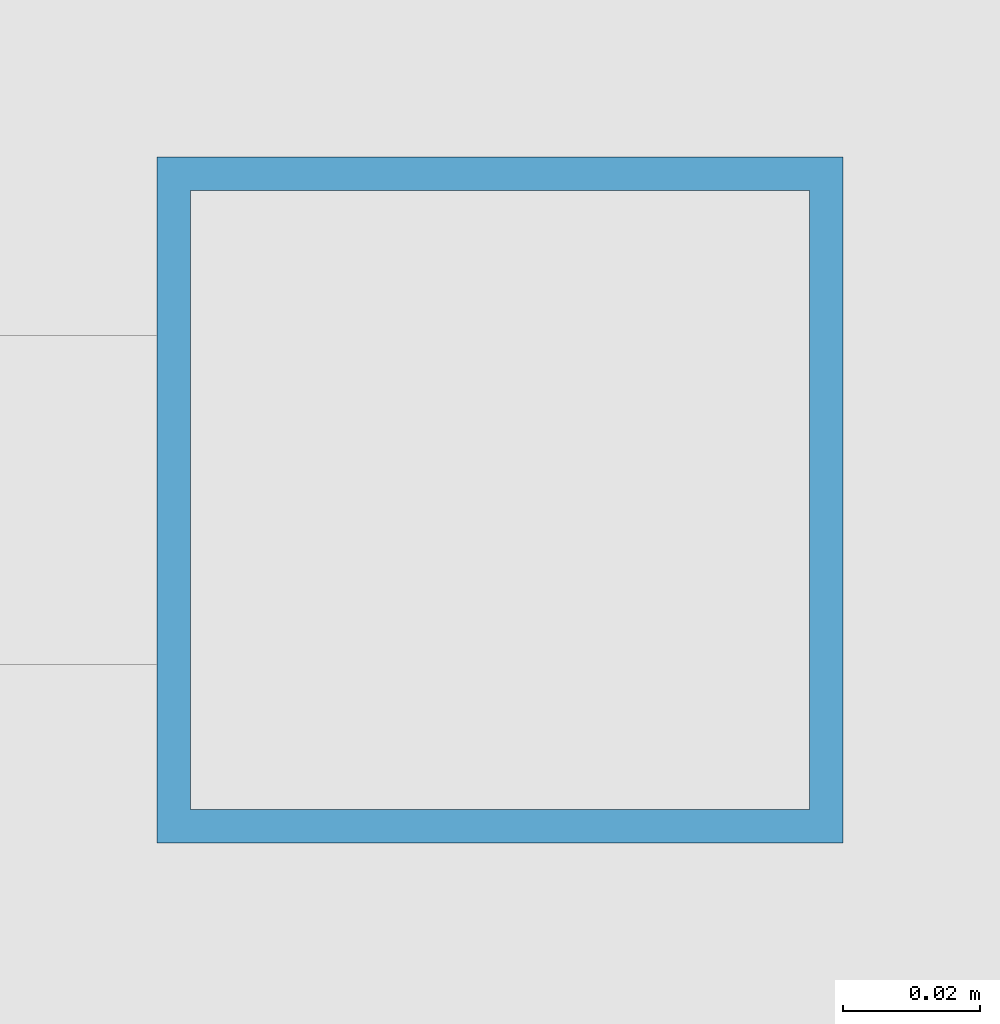
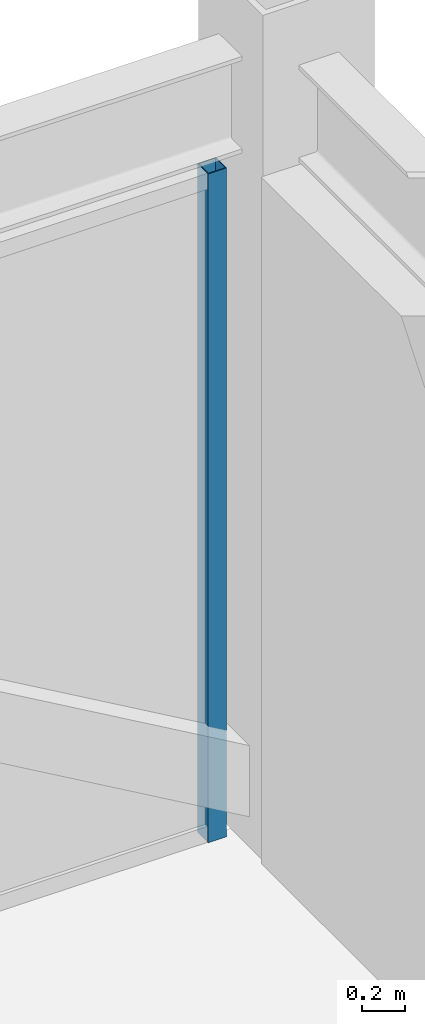
# One storey, part 22 of 27: 1 member, 1 element without a shape of its own.
"""IFC4 building model written with IfcOpenShell, lengths in metres."""

import ifcopenshell
import ifcopenshell.guid

model = None  # the IFC model being written
_history = None  # IfcOwnerHistory: only IFC2X3 demands one
_inside = {}  # id of a spatial element -> (the spatial element, [elements in it])
_under = {}  # id of a project, library or spatial element -> (it, [spatial elements below it])
_declared = {}  # id of a project -> (the project, [libraries it declares])
_typed = {}  # id of a type object -> (the type object, [elements of that type])
_made_of = {}  # id of a material, layer set ... -> (it, [elements and type objects made of it])


def new_model(schema):
    """Start an empty IFC model of exactly this schema.

    Asked for "IFC4X3", IfcOpenShell would pick the latest addendum, in which some entities
    have other attributes; the version numbers below select the first issue.
    IFC2X3 requires an IfcOwnerHistory on every rooted entity: one is made here for all.
    """
    global model, _history
    if schema == "IFC4X3":
        model = ifcopenshell.file(schema_version=(4, 3, 0, 0))
    else:
        model = ifcopenshell.file(schema=schema)
    _inside.clear()
    _under.clear()
    _declared.clear()
    _typed.clear()
    _made_of.clear()
    _history = None
    if model.schema == "IFC2X3":
        org = make("IfcOrganization", Name="unknown")
        user = make(
            "IfcPersonAndOrganization",
            ThePerson=make("IfcPerson", FamilyName="unknown"),
            TheOrganization=org,
        )
        app = make(
            "IfcApplication",
            ApplicationDeveloper=org,
            Version="unknown",
            ApplicationFullName="unknown",
            ApplicationIdentifier="unknown",
        )
        _history = make(
            "IfcOwnerHistory",
            OwningUser=user,
            OwningApplication=app,
            ChangeAction="ADDED",
            CreationDate=0,
        )
    return model


def make(cls, **values):
    """One entity of the class cls with the attributes given. An attribute that is None is left unset."""
    return model.create_entity(
        cls, **{name: value for name, value in values.items() if value is not None}
    )


def rooted(cls, **values):
    """An entity with a GlobalId (a new one), such as an element, a storey or a relation."""
    return make(cls, GlobalId=ifcopenshell.guid.new(), OwnerHistory=_history, **values)


def si_unit(unit_type, name, prefix=None):
    """IfcSIUnit, for example si_unit("LENGTHUNIT", "METRE", prefix="MILLI")."""
    return make("IfcSIUnit", UnitType=unit_type, Prefix=prefix, Name=name)


def assignment(units):
    """IfcUnitAssignment: the units of a project."""
    return None if units is None else make("IfcUnitAssignment", Units=units)


def point(xyz):
    """IfcCartesianPoint."""
    return None if xyz is None else make("IfcCartesianPoint", Coordinates=xyz)


def direction(xyz):
    """IfcDirection."""
    return None if xyz is None else make("IfcDirection", DirectionRatios=xyz)


def frame(location, z_axis=None, x_axis=None):
    """IfcAxis2Placement3D, a coordinate frame: its origin and axes. An axis left out is left unset."""
    return make(
        "IfcAxis2Placement3D",
        Location=point(location),
        Axis=direction(z_axis),
        RefDirection=direction(x_axis),
    )


def frame_2d(location, x_axis=None):
    """IfcAxis2Placement2D, a coordinate frame in the plane: its origin and x axis."""
    return make(
        "IfcAxis2Placement2D", Location=point(location), RefDirection=direction(x_axis)
    )


def origin():
    """The frame at (0, 0, 0) with its axes left unset."""
    return frame((0.0, 0.0, 0.0))


def origin_2d():
    """The frame at (0, 0) in the plane with its x axis left unset."""
    return frame_2d((0.0, 0.0))


def place(relative_to, where):
    """IfcLocalPlacement: puts the frame where relative to a parent placement (None: the world)."""
    return make(
        "IfcLocalPlacement", PlacementRelTo=relative_to, RelativePlacement=where
    )


def context(
    kind, dimensions, precision=None, world=None, true_north=None, identifier=None
):
    """IfcGeometricRepresentationContext, for example the 3D "Model" context."""
    return make(
        "IfcGeometricRepresentationContext",
        ContextIdentifier=identifier,
        ContextType=kind,
        CoordinateSpaceDimension=dimensions,
        Precision=precision,
        WorldCoordinateSystem=world,
        TrueNorth=true_north,
    )


def subcontext(parent, identifier, kind, view, scale=None):
    """IfcGeometricRepresentationSubContext, for example "Body" below "Model"."""
    return make(
        "IfcGeometricRepresentationSubContext",
        ContextIdentifier=identifier,
        ContextType=kind,
        ParentContext=parent,
        TargetScale=scale,
        TargetView=view,
    )


def project(units=None, contexts=None):
    """IfcProject with its units and contexts."""
    return rooted(
        "IfcProject",
        Name="project",
        RepresentationContexts=contexts,
        UnitsInContext=assignment(units),
    )


def spatial(cls, under=None, at=None, **own):
    """A site, building, storey or space (cls), placed at a placement, below another one or the project."""
    s = rooted(cls, ObjectPlacement=at, **own)
    if under is not None:
        _under.setdefault(under.id(), (under, []))[1].append(s)
    return s


def profile(cls, at=None, kind="AREA", **sizes):
    """A parametric profile (cls). Its sizes go by their IFC names, for example OverallWidth=200.0."""
    return make(cls, ProfileType=kind, Position=at, **sizes)


def hollow_rectangle(**sizes):
    """IfcRectangleHollowProfileDef."""
    return profile("IfcRectangleHollowProfileDef", **sizes)


def extrude(swept, where, along, depth):
    """IfcExtrudedAreaSolid: the profile swept, set in the frame where, extruded along a direction by depth."""
    return make(
        "IfcExtrudedAreaSolid",
        SweptArea=swept,
        Position=where,
        ExtrudedDirection=direction(along),
        Depth=depth,
    )


def shape(context_of_items, identifier, shape_type, items):
    """IfcShapeRepresentation: the items that make up one representation, for example the "Body"."""
    return make(
        "IfcShapeRepresentation",
        ContextOfItems=context_of_items,
        RepresentationIdentifier=identifier,
        RepresentationType=shape_type,
        Items=items,
    )


def source(mapping_origin, context_of_items, identifier, shape_type, items):
    """IfcRepresentationMap: a shape defined once, which mapped items show again and again."""
    return make(
        "IfcRepresentationMap",
        MappingOrigin=mapping_origin,
        MappedRepresentation=shape(context_of_items, identifier, shape_type, items),
    )


def transform(
    local_origin,
    x_axis=None,
    y_axis=None,
    z_axis=None,
    scale=None,
    scale2=None,
    scale3=None,
    uniform=True,
):
    """IfcCartesianTransformationOperator3D, or its non-uniform kind. x_axis, y_axis, z_axis: its Axis1, 2, 3."""
    if uniform:
        return make(
            "IfcCartesianTransformationOperator3D",
            Axis1=direction(x_axis),
            Axis2=direction(y_axis),
            LocalOrigin=point(local_origin),
            Scale=scale,
            Axis3=direction(z_axis),
        )
    return make(
        "IfcCartesianTransformationOperator3DnonUniform",
        Axis1=direction(x_axis),
        Axis2=direction(y_axis),
        LocalOrigin=point(local_origin),
        Scale=scale,
        Axis3=direction(z_axis),
        Scale2=scale2,
        Scale3=scale3,
    )


def mapped(mapping_source, mapping_target):
    """IfcMappedItem: shows the shape of a source again, moved by a transform."""
    return make(
        "IfcMappedItem", MappingSource=mapping_source, MappingTarget=mapping_target
    )


def material(Name=None, Category=None):
    """IfcMaterial."""
    return make("IfcMaterial", Name=Name, Category=Category)


def material_profile(
    of_material, cross_section, Name=None, Category=None, Priority=None
):
    """IfcMaterialProfile: a cross section and its material."""
    return make(
        "IfcMaterialProfile",
        Name=Name,
        Material=of_material,
        Profile=cross_section,
        Priority=Priority,
        Category=Category,
    )


def profile_set(profiles, Name=None, composite=None):
    """IfcMaterialProfileSet."""
    return make(
        "IfcMaterialProfileSet",
        Name=Name,
        MaterialProfiles=profiles,
        CompositeProfile=composite,
    )


def made_of(thing, what):
    """Note that an element or type object is made of a material, layer set ...; save() writes the relation."""
    if what is not None:
        _made_of.setdefault(what.id(), (what, []))[1].append(thing)
    return thing


def type_object(cls, material=None, **own):
    """A type object (cls), such as IfcWallType, which elements share."""
    return made_of(rooted(cls, **own), material)


def element(
    cls,
    number,
    at=None,
    inside=None,
    cuts=None,
    type_object=None,
    material=None,
    context=None,
    identifier="Body",
    shape_type=None,
    held_by="IfcProductDefinitionShape",
    body=None,
    shapes=None,
    **own,
):
    """One element of the class cls, such as IfcWall. Its Tag is "e" and its number.

    at: its placement. inside: the storey or other place that contains it. cuts: it is an
    opening in that element (IfcRelVoidsElement). A single representation is given by context,
    identifier, shape_type and body (its items); several are given by shapes. held_by: the class
    of the entity that holds the representations. save() writes the other relations.
    """
    e = rooted(cls, Tag="e%d" % number, ObjectPlacement=at, **own)
    if body is not None:
        shapes = [shape(context, identifier, shape_type, body)]
    if shapes is not None:
        e.Representation = make(held_by, Representations=shapes)
    if inside is not None:
        _inside.setdefault(inside.id(), (inside, []))[1].append(e)
    if cuts is not None:
        rooted(
            "IfcRelVoidsElement", RelatingBuildingElement=cuts, RelatedOpeningElement=e
        )
    if type_object is not None:
        _typed.setdefault(type_object.id(), (type_object, []))[1].append(e)
    return made_of(e, material)


def aggregate(whole, parts):
    """IfcRelAggregates: a whole, such as a stair, and the parts it consists of."""
    return rooted("IfcRelAggregates", RelatingObject=whole, RelatedObjects=parts)


def save(model, path):
    """Write the relations noted so far, then the file.

    IfcRelAggregates (storeys below a building ...), IfcRelContainedInSpatialStructure (elements
    in a storey), IfcRelDefinesByType, IfcRelAssociatesMaterial and IfcRelDeclares: one each for
    every whole, place, type object, material and project.
    """
    for whole, parts in _under.values():
        aggregate(whole, parts)
    for where, things in _inside.values():
        rooted(
            "IfcRelContainedInSpatialStructure",
            RelatedElements=things,
            RelatingStructure=where,
        )
    for kind, things in _typed.values():
        rooted("IfcRelDefinesByType", RelatedObjects=things, RelatingType=kind)
    for what, things in _made_of.values():
        rooted("IfcRelAssociatesMaterial", RelatedObjects=things, RelatingMaterial=what)
    for by, libraries in _declared.values():
        rooted("IfcRelDeclares", RelatingContext=by, RelatedDefinitions=libraries)
    model.write(path)


model = new_model("IFC4")

# Units and contexts
model_context = context("Model", 3, precision=1e-05, world=origin(), true_north=direction((0.0, 1.0)))
body_context = subcontext(model_context, "Body", "Model", "MODEL_VIEW")
ifc_project = project(units=[si_unit("LENGTHUNIT", "METRE"), si_unit("AREAUNIT", "SQUARE_METRE"), si_unit("VOLUMEUNIT", "CUBIC_METRE"), si_unit("PLANEANGLEUNIT", "RADIAN"), si_unit("MASSUNIT", "GRAM", prefix="KILO")], contexts=[model_context])

# Site, building, storey
site_placement = place(None, origin())
site = spatial("IfcSite", under=ifc_project, at=site_placement, CompositionType="ELEMENT")
building_placement = place(site_placement, origin())
building = spatial("IfcBuilding", under=site, at=building_placement, Name="Khorayat Bourse Tower", CompositionType="ELEMENT")
storey_placement = place(building_placement, frame((0.0, 0.0, 385.10009765625)))
storey = spatial("IfcBuildingStorey", under=building, at=storey_placement, Name="L91", CompositionType="ELEMENT", Elevation=385.10009765625)

# Curtain wall, member
ifc_material = material(Name="Aluminium EN AW-6063 T6", Category="aluminium")
curtain_wall_type = type_object("IfcCurtainWallType", Name="CW-SYS-07", PredefinedType="NOTDEFINED", material=ifc_material)
curtain_wall_placement = place(storey_placement, origin())
curtain_wall = element("IfcCurtainWall", 1, at=curtain_wall_placement, inside=storey, type_object=curtain_wall_type, Name="L91 Curtain Wall CW-L91-N1", PredefinedType="NOTDEFINED")
ifc_material_profile = material_profile(ifc_material, hollow_rectangle(XDim=0.10009765625, YDim=0.10009765625, WallThickness=0.0048828125, at=origin_2d()), Name="ALU 100x100x5")
ifc_profile_set = profile_set([ifc_material_profile], Name="Aluminium EN AW-6063 T6")
member_type = type_object("IfcMemberType", Name="CWM-LANTERN-100", PredefinedType="MULLION", material=ifc_profile_set)
shared_shape = source(origin(), body_context, "Body", "SweptSolid", [
    extrude(hollow_rectangle(XDim=0.10009765625, YDim=0.10009765625, WallThickness=0.0048828125, at=origin_2d()), origin(), (0.0, 0.0, 1.0), 3.7998046875),
])
member_placement = place(storey_placement, frame((17.60009765625, 24.0, 0.0), z_axis=(0.0, 0.0, 1.0), x_axis=(0.0, 1.0, 0.0)))
member = element("IfcMember", 2, at=member_placement, type_object=member_type, Name="CW-L91-N1 Vertical Mullion 3", PredefinedType="MULLION", context=body_context, shape_type="MappedRepresentation", body=[
    mapped(shared_shape, transform((0.0, 0.0, 0.0), scale=1.0)),
])
aggregate(curtain_wall, [member])

save(model, "model.ifc")
